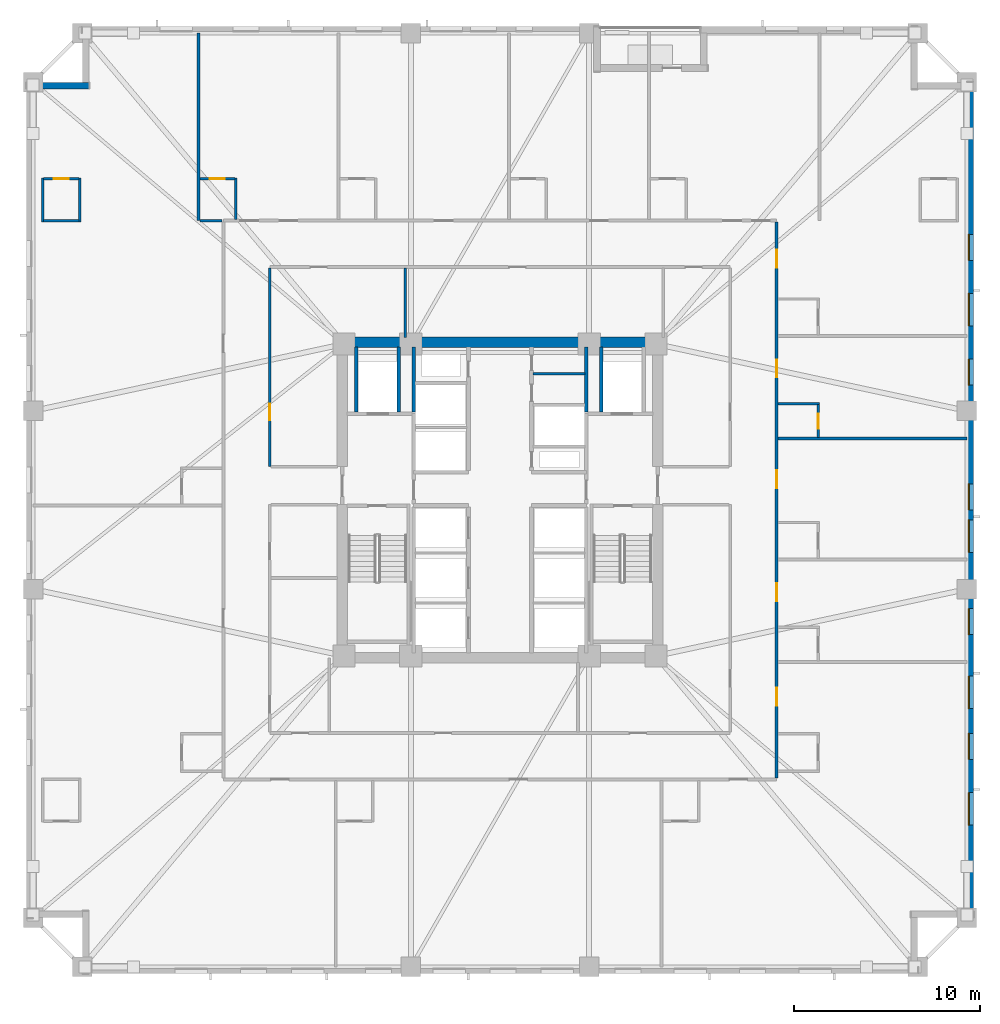
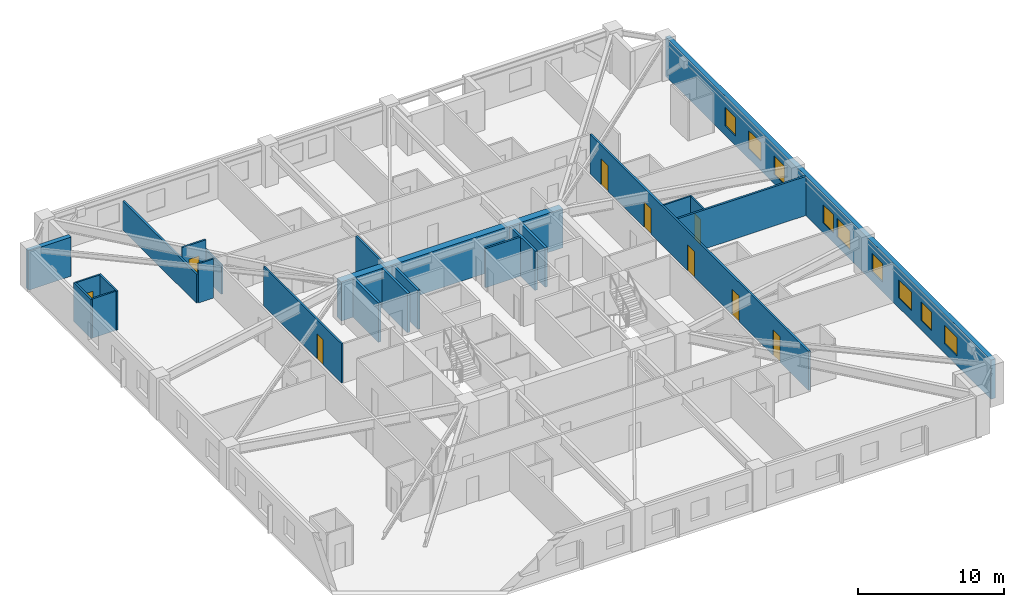
# One storey, part 5 of 11: 23 walls, 9 doors, 9 windows, 18 openings.
"""IFC4 building model written with IfcOpenShell, lengths in metres."""

from ifc_helpers import new_model, si_unit, direction, frame, frame_2d, origin, place, context, subcontext, project, spatial, rectangle, extrude, material, layer, layer_set, type_object, element, fill, save


model = new_model("IFC4")

# Units and contexts
model_context = context("Model", 3, precision=1e-05, world=origin(), true_north=direction((0.0, 1.0)))
body_context = subcontext(model_context, "Body", "Model", "MODEL_VIEW")
ifc_project = project(units=[si_unit("LENGTHUNIT", "METRE"), si_unit("AREAUNIT", "SQUARE_METRE"), si_unit("VOLUMEUNIT", "CUBIC_METRE"), si_unit("PLANEANGLEUNIT", "RADIAN"), si_unit("MASSUNIT", "GRAM", prefix="KILO")], contexts=[model_context])

# Site, building, storey
site_placement = place(None, origin())
site = spatial("IfcSite", under=ifc_project, at=site_placement, CompositionType="ELEMENT")
building_placement = place(site_placement, origin())
building = spatial("IfcBuilding", under=site, at=building_placement, Name="Cairnveth Concourse Tower", CompositionType="ELEMENT")
storey_placement = place(building_placement, frame((0.0, 0.0, 86.5)))
storey = spatial("IfcBuildingStorey", under=building, at=storey_placement, Name="L23", CompositionType="ELEMENT", Elevation=86.5)

# Wall
ifc_material_1 = material(Name="Gypsum Plasterboard Partition", Category="gypsum")
ifc_layer_1 = layer(ifc_material_1, 0.159912109375)
ifc_layer_set_1 = layer_set([ifc_layer_1], Name="Gypsum Plasterboard Partition")
wall_type_1 = type_object("IfcWallType", Name="ACOUSTIC PARTY WALL 180", PredefinedType="PARTITIONING", material=ifc_layer_set_1)
wall_1_placement = place(storey_placement, frame((53.784912109375, 45.800048828125, 0.0), z_axis=(0.0, 0.0, 1.0), x_axis=(1.0, 0.0, 0.0)))
element("IfcWall", 1, at=wall_1_placement, inside=storey, type_object=wall_type_1, Name="Interior Wall IW-L23-037", PredefinedType="PARTITIONING", context=body_context, shape_type="SweptSolid", body=[
    extrude(rectangle(XDim=2.7900390625, YDim=0.159912109375, at=frame_2d((1.39501953125, 0.0))), origin(), (0.0, 0.0, 1.0), 3.280029296875),
])

# Wall, openings, doors
wall_2_placement = place(storey_placement, frame((66.89990234375, 24.014892578125, 0.0), z_axis=(0.0, 0.0, 1.0), x_axis=(0.0, 1.0, 0.0)))
wall_2 = element("IfcWall", 2, at=wall_2_placement, inside=storey, type_object=wall_type_1, Name="Interior Wall IW-L23-041", PredefinedType="PARTITIONING", context=body_context, shape_type="SweptSolid", body=[
    extrude(rectangle(XDim=29.97021484375, YDim=0.159912109375, at=frame_2d((14.985107421875, 0.0))), origin(), (0.0, 0.0, 1.0), 3.280029296875),
])
opening_1_placement = place(wall_2_placement, frame((3.911376953125, 0.0, 0.0)))
opening_1 = element("IfcOpeningElement", 3, at=opening_1_placement, cuts=wall_2, Name="Opening ID09", PredefinedType="OPENING", context=body_context, shape_type="SweptSolid", body=[
    extrude(rectangle(XDim=0.9599609375, YDim=2.14990234375, at=frame_2d((0.47998046875, 1.074951171875))), frame((0.0, 0.08984375, 0.0), z_axis=(0.0, -1.0, 0.0), x_axis=(1.0, 0.0, 0.0)), (0.0, 0.0, 1.0), 0.179931640625),
])
opening_2_placement = place(wall_2_placement, frame((9.544189453125, 0.0, 0.0)))
opening_2 = element("IfcOpeningElement", 4, at=opening_2_placement, cuts=wall_2, Name="Opening ID09", PredefinedType="OPENING", context=body_context, shape_type="SweptSolid", body=[
    extrude(rectangle(XDim=0.9599609375, YDim=2.14990234375, at=frame_2d((0.47998046875, 1.074951171875))), frame((0.0, 0.08984375, 0.0), z_axis=(0.0, -1.0, 0.0), x_axis=(1.0, 0.0, 0.0)), (0.0, 0.0, 1.0), 0.179931640625),
])
opening_3_placement = place(wall_2_placement, frame((15.625, 0.0, 0.0)))
opening_3 = element("IfcOpeningElement", 5, at=opening_3_placement, cuts=wall_2, Name="Opening ID09", PredefinedType="OPENING", context=body_context, shape_type="SweptSolid", body=[
    extrude(rectangle(XDim=0.9599609375, YDim=2.14990234375, at=frame_2d((0.47998046875, 1.074951171875))), frame((0.0, 0.08984375, 0.0), z_axis=(0.0, -1.0, 0.0), x_axis=(1.0, 0.0, 0.0)), (0.0, 0.0, 1.0), 0.179931640625),
])
opening_4_placement = place(wall_2_placement, frame((21.584228515625, 0.0, 0.0)))
opening_4 = element("IfcOpeningElement", 6, at=opening_4_placement, cuts=wall_2, Name="Opening ID09", PredefinedType="OPENING", context=body_context, shape_type="SweptSolid", body=[
    extrude(rectangle(XDim=0.9599609375, YDim=2.14990234375, at=frame_2d((0.47998046875, 1.074951171875))), frame((0.0, 0.08984375, 0.0), z_axis=(0.0, -1.0, 0.0), x_axis=(1.0, 0.0, 0.0)), (0.0, 0.0, 1.0), 0.179931640625),
])
opening_5_placement = place(wall_2_placement, frame((27.49365234375, 0.0, 0.0)))
opening_5 = element("IfcOpeningElement", 7, at=opening_5_placement, cuts=wall_2, Name="Opening ID09", PredefinedType="OPENING", context=body_context, shape_type="SweptSolid", body=[
    extrude(rectangle(XDim=0.9599609375, YDim=2.14990234375, at=frame_2d((0.47998046875, 1.074951171875))), frame((0.0, 0.08984375, 0.0), z_axis=(0.0, -1.0, 0.0), x_axis=(1.0, 0.0, 0.0)), (0.0, 0.0, 1.0), 0.179931640625),
])
ifc_material_2 = material(Name="Solid Core Hardwood Timber Leaf", Category="wood")
door_type_1 = type_object("IfcDoorType", Name="HOTEL ENTRANCE DOOR 960X2150", OperationType="NOTDEFINED", PredefinedType="DOOR", material=ifc_material_2)
door_1_placement = place(opening_1_placement, origin())
door_1 = element("IfcDoor", 8, at=door_1_placement, inside=storey, type_object=door_type_1, Name="Hotel Room Door L23-E1", OperationType="SINGLE_SWING_RIGHT", OverallHeight=2.14990234375, OverallWidth=0.9599609375, PredefinedType="DOOR", context=body_context, shape_type="SweptSolid", body=[
    extrude(rectangle(XDim=0.9599609375, YDim=2.14990234375, at=frame_2d((0.47998046875, 1.074951171875))), frame((0.0, 0.02490234375, 0.0), z_axis=(0.0, -1.0, 0.0), x_axis=(1.0, 0.0, 0.0)), (0.0, 0.0, 1.0), 0.050048828125),
])
fill(opening_1, door_1)
door_2_placement = place(opening_2_placement, origin())
door_2 = element("IfcDoor", 9, at=door_2_placement, inside=storey, type_object=door_type_1, Name="Hotel Room Door L23-E2", OperationType="SINGLE_SWING_RIGHT", OverallHeight=2.14990234375, OverallWidth=0.9599609375, PredefinedType="DOOR", context=body_context, shape_type="SweptSolid", body=[
    extrude(rectangle(XDim=0.9599609375, YDim=2.14990234375, at=frame_2d((0.47998046875, 1.074951171875))), frame((0.0, 0.02490234375, 0.0), z_axis=(0.0, -1.0, 0.0), x_axis=(1.0, 0.0, 0.0)), (0.0, 0.0, 1.0), 0.050048828125),
])
fill(opening_2, door_2)
door_3_placement = place(opening_3_placement, origin())
door_3 = element("IfcDoor", 10, at=door_3_placement, inside=storey, type_object=door_type_1, Name="Hotel Room Door L23-E3", OperationType="SINGLE_SWING_RIGHT", OverallHeight=2.14990234375, OverallWidth=0.9599609375, PredefinedType="DOOR", context=body_context, shape_type="SweptSolid", body=[
    extrude(rectangle(XDim=0.9599609375, YDim=2.14990234375, at=frame_2d((0.47998046875, 1.074951171875))), frame((0.0, 0.02490234375, 0.0), z_axis=(0.0, -1.0, 0.0), x_axis=(1.0, 0.0, 0.0)), (0.0, 0.0, 1.0), 0.050048828125),
])
fill(opening_3, door_3)
door_4_placement = place(opening_4_placement, origin())
door_4 = element("IfcDoor", 11, at=door_4_placement, inside=storey, type_object=door_type_1, Name="Hotel Room Door L23-E4", OperationType="SINGLE_SWING_RIGHT", OverallHeight=2.14990234375, OverallWidth=0.9599609375, PredefinedType="DOOR", context=body_context, shape_type="SweptSolid", body=[
    extrude(rectangle(XDim=0.9599609375, YDim=2.14990234375, at=frame_2d((0.47998046875, 1.074951171875))), frame((0.0, 0.02490234375, 0.0), z_axis=(0.0, -1.0, 0.0), x_axis=(1.0, 0.0, 0.0)), (0.0, 0.0, 1.0), 0.050048828125),
])
fill(opening_4, door_4)
door_5_placement = place(opening_5_placement, origin())
door_5 = element("IfcDoor", 12, at=door_5_placement, inside=storey, type_object=door_type_1, Name="Hotel Room Door L23-E5", OperationType="SINGLE_SWING_RIGHT", OverallHeight=2.14990234375, OverallWidth=0.9599609375, PredefinedType="DOOR", context=body_context, shape_type="SweptSolid", body=[
    extrude(rectangle(XDim=0.9599609375, YDim=2.14990234375, at=frame_2d((0.47998046875, 1.074951171875))), frame((0.0, 0.02490234375, 0.0), z_axis=(0.0, -1.0, 0.0), x_axis=(1.0, 0.0, 0.0)), (0.0, 0.0, 1.0), 0.050048828125),
])
fill(opening_5, door_5)

# Walls
wall_3_placement = place(storey_placement, frame((35.767578125, 54.050048828125, 0.0), z_axis=(0.0, 0.0, 1.0), x_axis=(0.0, 1.0, 0.0)))
element("IfcWall", 13, at=wall_3_placement, inside=storey, type_object=wall_type_1, Name="Interior Wall IW-L23-071", PredefinedType="PARTITIONING", context=body_context, shape_type="SweptSolid", body=[
    extrude(rectangle(XDim=10.10498046875, YDim=0.159912109375, at=frame_2d((5.052490234375, 0.0))), origin(), (0.0, 0.0, 1.0), 2.43896484375),
])
wall_4_placement = place(storey_placement, frame((66.965087890625, 42.302490234375, 0.0), z_axis=(0.0, 0.0, 1.0), x_axis=(1.0, 0.0, 0.0)))
element("IfcWall", 14, at=wall_4_placement, inside=storey, type_object=wall_type_1, Name="Interior Wall IW-L23-104", PredefinedType="PARTITIONING", context=body_context, shape_type="SweptSolid", body=[
    extrude(rectangle(XDim=10.18994140625, YDim=0.159912109375, at=frame_2d((5.094970703125, 0.0))), origin(), (0.0, 0.0, 1.0), 3.280029296875),
])
ifc_material_3 = material(Name="Concrete N80 (80 MPa)", Category="concrete")
ifc_layer_2 = layer(ifc_material_3, 0.550048828125)
ifc_layer_set_2 = layer_set([ifc_layer_2], Name="Concrete N80 (80 MPa)")
wall_type_2 = type_object("IfcWallType", Name="CORE SHEAR WALL 550", PredefinedType="SHEAR", material=ifc_layer_set_2)
wall_5_placement = place(storey_placement, frame((43.22509765625, 47.5, 0.0), z_axis=(0.0, 0.0, 1.0), x_axis=(1.0, 0.0, 0.0)))
element("IfcWall", 15, at=wall_5_placement, inside=storey, type_object=wall_type_2, Name="Core North Shear Wall L23", PredefinedType="SHEAR", context=body_context, shape_type="SweptSolid", body=[
    extrude(rectangle(XDim=17.5498046875, YDim=0.550048828125, at=frame_2d((8.77490234375, 0.0))), origin(), (0.0, 0.0, 1.0), 3.280029296875),
])
ifc_material_4 = material(Name="Concrete N50 (50 MPa)", Category="concrete")
ifc_layer_3 = layer(ifc_material_4, 0.179931640625)
ifc_layer_set_3 = layer_set([ifc_layer_3], Name="Concrete N50 (50 MPa)")
wall_type_3 = type_object("IfcWallType", Name="FIRE SHAFT WALL 180", PredefinedType="SOLIDWALL", material=ifc_layer_set_3)
for number, where, z_axis, x_axis, name in (
    (16, (47.35009765625, 43.735107421875, 0.0), (0.0, 0.0, 1.0), (0.0, 1.0, 0.0), "Interior Wall IW-L23-031"),
    (17, (56.64990234375, 43.735107421875, 0.0), (0.0, 0.0, 1.0), (0.0, 1.0, 0.0), "Interior Wall IW-L23-034"),
):
    element("IfcWall", number, at=place(storey_placement, frame(where, z_axis=z_axis, x_axis=x_axis)), inside=storey, type_object=wall_type_3, Name=name, PredefinedType="SOLIDWALL", context=body_context, shape_type="SweptSolid", body=[
        extrude(rectangle(XDim=3.5048828125, YDim=0.179931640625, at=frame_2d((1.75244140625, 0.0))), origin(), (0.0, 0.0, 1.0), 3.280029296875),
    ])
ifc_layer_4 = layer(ifc_material_4, 0.199951171875)
ifc_layer_set_4 = layer_set([ifc_layer_4], Name="Concrete N50 (50 MPa)")
wall_type_4 = type_object("IfcWallType", Name="FIRE SHAFT WALL 200", PredefinedType="SOLIDWALL", material=ifc_layer_set_4)
for number, where, z_axis, x_axis, name in (
    (18, (46.550048828125, 43.735107421875, 0.0), (0.0, 0.0, 1.0), (0.0, 1.0, 0.0), "Interior Wall IW-L23-018"),
    (19, (44.25, 43.735107421875, 0.0), (0.0, 0.0, 1.0), (0.0, 1.0, 0.0), "Interior Wall IW-L23-019"),
    (20, (57.449951171875, 43.735107421875, 0.0), (0.0, 0.0, 1.0), (0.0, 1.0, 0.0), "Interior Wall IW-L23-023"),
):
    element("IfcWall", number, at=place(storey_placement, frame(where, z_axis=z_axis, x_axis=x_axis)), inside=storey, type_object=wall_type_4, Name=name, PredefinedType="SOLIDWALL", context=body_context, shape_type="SweptSolid", body=[
        extrude(rectangle(XDim=3.5048828125, YDim=0.199951171875, at=frame_2d((1.75244140625, 0.0))), origin(), (0.0, 0.0, 1.0), 3.280029296875),
    ])

# Wall, opening, door
ifc_layer_5 = layer(ifc_material_1, 0.139892578125)
ifc_layer_set_5 = layer_set([ifc_layer_5], Name="Gypsum Plasterboard Partition")
wall_type_5 = type_object("IfcWallType", Name="GYPSUM STUD PARTITION 140", PredefinedType="PARTITIONING", material=ifc_layer_set_5)
wall_6_placement = place(storey_placement, frame((39.60009765625, 40.800048828125, 0.0), z_axis=(0.0, 0.0, 1.0), x_axis=(0.0, 1.0, 0.0)))
wall_6 = element("IfcWall", 21, at=wall_6_placement, inside=storey, type_object=wall_type_5, Name="Interior Wall IW-L23-045", PredefinedType="PARTITIONING", context=body_context, shape_type="SweptSolid", body=[
    extrude(rectangle(XDim=10.695068359375, YDim=0.139892578125, at=frame_2d((5.34765625, 0.0))), origin(), (0.0, 0.0, 1.0), 3.280029296875),
])
opening_6_placement = place(wall_6_placement, frame((2.5, 0.0, 0.0)))
opening_6 = element("IfcOpeningElement", 22, at=opening_6_placement, cuts=wall_6, Name="Opening ID18", PredefinedType="OPENING", context=body_context, shape_type="SweptSolid", body=[
    extrude(rectangle(XDim=0.8798828125, YDim=2.10009765625, at=frame_2d((0.43994140625, 1.050048828125))), frame((0.0, 0.079833984375, 0.0), z_axis=(0.0, -1.0, 0.0), x_axis=(1.0, 0.0, 0.0)), (0.0, 0.0, 1.0), 0.159912109375),
])
door_type_2 = type_object("IfcDoorType", Name="INTERIOR SINGLE DOOR 880X2100", OperationType="NOTDEFINED", PredefinedType="DOOR", material=ifc_material_2)
door_6_placement = place(opening_6_placement, origin())
door_6 = element("IfcDoor", 23, at=door_6_placement, inside=storey, type_object=door_type_2, Name="Interior Door DR-L23-022", OperationType="SINGLE_SWING_RIGHT", OverallHeight=2.10009765625, OverallWidth=0.8798828125, PredefinedType="DOOR", context=body_context, shape_type="SweptSolid", body=[
    extrude(rectangle(XDim=0.8798828125, YDim=2.10009765625, at=frame_2d((0.43994140625, 1.050048828125))), frame((0.0, 0.02490234375, 0.0), z_axis=(0.0, -1.0, 0.0), x_axis=(1.0, 0.0, 0.0)), (0.0, 0.0, 1.0), 0.050048828125),
])
fill(opening_6, door_6)

# Walls
wall_7_placement = place(storey_placement, frame((46.89990234375, 47.760009765625, 0.0), z_axis=(0.0, 0.0, 1.0), x_axis=(0.0, 1.0, 0.0)))
element("IfcWall", 24, at=wall_7_placement, inside=storey, type_object=wall_type_5, Name="Interior Wall IW-L23-054", PredefinedType="PARTITIONING", context=body_context, shape_type="SweptSolid", body=[
    extrude(rectangle(XDim=3.735107421875, YDim=0.139892578125, at=frame_2d((1.86767578125, 0.0))), origin(), (0.0, 0.0, 1.0), 3.280029296875),
])
ifc_layer_6 = layer(ifc_material_1, 0.1298828125)
ifc_layer_set_6 = layer_set([ifc_layer_6], Name="Gypsum Plasterboard Partition")
wall_type_6 = type_object("IfcWallType", Name="WET AREA PARTITION 140", PredefinedType="PLUMBINGWALL", material=ifc_layer_set_6)
for number, where, z_axis, x_axis, name in (
    (25, (27.3701171875, 53.969970703125, 0.0), (0.0, 0.0, 1.0), (0.0, 1.0, 0.0), "Interior Wall IW-L23-067"),
    (26, (29.3701171875, 53.969970703125, 0.0), (0.0, 0.0, 1.0), (0.0, 1.0, 0.0), "Interior Wall IW-L23-068"),
):
    element("IfcWall", number, at=place(storey_placement, frame(where, z_axis=z_axis, x_axis=x_axis)), inside=storey, type_object=wall_type_6, Name=name, PredefinedType="PLUMBINGWALL", context=body_context, shape_type="SweptSolid", body=[
        extrude(rectangle(XDim=2.380126953125, YDim=0.1298828125, at=frame_2d((1.18994140625, 0.0))), origin(), (0.0, 0.0, 1.0), 3.280029296875),
    ])

# Wall, opening, door
wall_8_placement = place(storey_placement, frame((27.419921875, 56.300048828125, 0.0), z_axis=(0.0, 0.0, 1.0), x_axis=(1.0, 0.0, 0.0)))
wall_8 = element("IfcWall", 27, at=wall_8_placement, inside=storey, type_object=wall_type_6, Name="Interior Wall IW-L23-069", PredefinedType="PLUMBINGWALL", context=body_context, shape_type="SweptSolid", body=[
    extrude(rectangle(XDim=1.900146484375, YDim=0.1298828125, at=frame_2d((0.9501953125, 0.0))), origin(), (0.0, 0.0, 1.0), 3.280029296875),
])
opening_7_placement = place(wall_8_placement, frame((0.5400390625, 0.0, 0.0)))
opening_7 = element("IfcOpeningElement", 28, at=opening_7_placement, cuts=wall_8, Name="Opening ID22", PredefinedType="OPENING", context=body_context, shape_type="SweptSolid", body=[
    extrude(rectangle(XDim=0.820068359375, YDim=2.10009765625, at=frame_2d((0.41015625, 1.050048828125))), frame((0.0, 0.074951171875, 0.0), z_axis=(0.0, -1.0, 0.0), x_axis=(1.0, 0.0, 0.0)), (0.0, 0.0, 1.0), 0.14990234375),
])
door_type_3 = type_object("IfcDoorType", Name="INTERIOR WC DOOR 820X2100", OperationType="NOTDEFINED", PredefinedType="DOOR", material=ifc_material_2)
door_7_placement = place(opening_7_placement, origin())
door_7 = element("IfcDoor", 29, at=door_7_placement, inside=storey, type_object=door_type_3, Name="En-Suite Door L23-N1", OperationType="SINGLE_SWING_LEFT", OverallHeight=2.10009765625, OverallWidth=0.820068359375, PredefinedType="DOOR", context=body_context, shape_type="SweptSolid", body=[
    extrude(rectangle(XDim=0.820068359375, YDim=2.10009765625, at=frame_2d((0.41015625, 1.050048828125))), frame((0.0, 0.02490234375, 0.0), z_axis=(0.0, -1.0, 0.0), x_axis=(1.0, 0.0, 0.0)), (0.0, 0.0, 1.0), 0.050048828125),
])
fill(opening_7, door_7)

# Walls
wall_9_placement = place(storey_placement, frame((27.419921875, 54.050048828125, 0.0), z_axis=(0.0, 0.0, 1.0), x_axis=(1.0, 0.0, 0.0)))
element("IfcWall", 30, at=wall_9_placement, inside=storey, type_object=wall_type_6, Name="Interior Wall IW-L23-070", PredefinedType="PLUMBINGWALL", context=body_context, shape_type="SweptSolid", body=[
    extrude(rectangle(XDim=1.900146484375, YDim=0.1298828125, at=frame_2d((0.9501953125, 0.0))), origin(), (0.0, 0.0, 1.0), 3.280029296875),
])
wall_10_placement = place(storey_placement, frame((37.767578125, 54.114990234375, 0.0), z_axis=(0.0, 0.0, 1.0), x_axis=(0.0, 1.0, 0.0)))
element("IfcWall", 31, at=wall_10_placement, inside=storey, type_object=wall_type_6, Name="Interior Wall IW-L23-072", PredefinedType="PLUMBINGWALL", context=body_context, shape_type="SweptSolid", body=[
    extrude(rectangle(XDim=2.235107421875, YDim=0.1298828125, at=frame_2d((1.11767578125, 0.0))), origin(), (0.0, 0.0, 1.0), 2.43896484375),
])

# Wall, opening, door
wall_11_placement = place(storey_placement, frame((35.83251953125, 56.300048828125, 0.0), z_axis=(0.0, 0.0, 1.0), x_axis=(1.0, 0.0, 0.0)))
wall_11 = element("IfcWall", 32, at=wall_11_placement, inside=storey, type_object=wall_type_6, Name="Interior Wall IW-L23-073", PredefinedType="PLUMBINGWALL", context=body_context, shape_type="SweptSolid", body=[
    extrude(rectangle(XDim=1.885009765625, YDim=0.1298828125, at=frame_2d((0.9423828125, 0.0))), origin(), (0.0, 0.0, 1.0), 3.280029296875),
])
opening_8_placement = place(wall_11_placement, frame((0.52490234375, 0.0, 0.0)))
opening_8 = element("IfcOpeningElement", 33, at=opening_8_placement, cuts=wall_11, Name="Opening ID22", PredefinedType="OPENING", context=body_context, shape_type="SweptSolid", body=[
    extrude(rectangle(XDim=0.820068359375, YDim=2.10009765625, at=frame_2d((0.41015625, 1.050048828125))), frame((0.0, 0.074951171875, 0.0), z_axis=(0.0, -1.0, 0.0), x_axis=(1.0, 0.0, 0.0)), (0.0, 0.0, 1.0), 0.14990234375),
])
door_8_placement = place(opening_8_placement, origin())
door_8 = element("IfcDoor", 34, at=door_8_placement, inside=storey, type_object=door_type_3, Name="En-Suite Door L23-N2", OperationType="SINGLE_SWING_LEFT", OverallHeight=2.10009765625, OverallWidth=0.820068359375, PredefinedType="DOOR", context=body_context, shape_type="SweptSolid", body=[
    extrude(rectangle(XDim=0.820068359375, YDim=2.10009765625, at=frame_2d((0.41015625, 1.050048828125))), frame((0.0, 0.02490234375, 0.0), z_axis=(0.0, -1.0, 0.0), x_axis=(1.0, 0.0, 0.0)), (0.0, 0.0, 1.0), 0.050048828125),
])
fill(opening_8, door_8)

# Walls
wall_12_placement = place(storey_placement, frame((35.83251953125, 54.050048828125, 0.0), z_axis=(0.0, 0.0, 1.0), x_axis=(1.0, 0.0, 0.0)))
element("IfcWall", 35, at=wall_12_placement, inside=storey, type_object=wall_type_6, Name="Interior Wall IW-L23-074", PredefinedType="PLUMBINGWALL", context=body_context, shape_type="SweptSolid", body=[
    extrude(rectangle(XDim=1.1875, YDim=0.1298828125, at=frame_2d((0.59375, 0.0))), origin(), (0.0, 0.0, 1.0), 3.280029296875),
])
wall_13_placement = place(storey_placement, frame((66.965087890625, 44.180908203125, 0.0), z_axis=(0.0, 0.0, 1.0), x_axis=(1.0, 0.0, 0.0)))
element("IfcWall", 36, at=wall_13_placement, inside=storey, type_object=wall_type_6, Name="Interior Wall IW-L23-105", PredefinedType="PLUMBINGWALL", context=body_context, shape_type="SweptSolid", body=[
    extrude(rectangle(XDim=2.23486328125, YDim=0.1298828125, at=frame_2d((1.117431640625, 0.0))), origin(), (0.0, 0.0, 1.0), 3.280029296875),
])

# Wall, opening, door
wall_14_placement = place(storey_placement, frame((69.14990234375, 42.367431640625, 0.0), z_axis=(0.0, 0.0, 1.0), x_axis=(0.0, 1.0, 0.0)))
wall_14 = element("IfcWall", 37, at=wall_14_placement, inside=storey, type_object=wall_type_6, Name="Interior Wall IW-L23-106", PredefinedType="PLUMBINGWALL", context=body_context, shape_type="SweptSolid", body=[
    extrude(rectangle(XDim=1.763671875, YDim=0.1298828125, at=frame_2d((0.8818359375, 0.0))), origin(), (0.0, 0.0, 1.0), 3.280029296875),
])
opening_9_placement = place(wall_14_placement, frame((0.464111328125, 0.0, 0.0)))
opening_9 = element("IfcOpeningElement", 38, at=opening_9_placement, cuts=wall_14, Name="Opening ID22", PredefinedType="OPENING", context=body_context, shape_type="SweptSolid", body=[
    extrude(rectangle(XDim=0.820068359375, YDim=2.10009765625, at=frame_2d((0.41015625, 1.050048828125))), frame((0.0, 0.074951171875, 0.0), z_axis=(0.0, -1.0, 0.0), x_axis=(1.0, 0.0, 0.0)), (0.0, 0.0, 1.0), 0.14990234375),
])
door_9_placement = place(opening_9_placement, origin())
door_9 = element("IfcDoor", 39, at=door_9_placement, inside=storey, type_object=door_type_3, Name="En-Suite Door L23-E4", OperationType="SINGLE_SWING_LEFT", OverallHeight=2.10009765625, OverallWidth=0.820068359375, PredefinedType="DOOR", context=body_context, shape_type="SweptSolid", body=[
    extrude(rectangle(XDim=0.820068359375, YDim=2.10009765625, at=frame_2d((0.41015625, 1.050048828125))), frame((0.0, 0.02490234375, 0.0), z_axis=(0.0, -1.0, 0.0), x_axis=(1.0, 0.0, 0.0)), (0.0, 0.0, 1.0), 0.050048828125),
])
fill(opening_9, door_9)

# Wall, openings, windows
ifc_material_5 = material(Name="Hawthorn Red-Ochre Fired Clay Brick Masonry", Category="masonry")
ifc_layer_7 = layer(ifc_material_5, 0.360107421875)
ifc_layer_set_7 = layer_set([ifc_layer_7], Name="Hawthorn Red-Ochre Fired Clay Brick Masonry")
wall_type_7 = type_object("IfcWallType", Name="ZONE 1 BRICK PIER SPANDREL WALL 360", PredefinedType="SOLIDWALL", material=ifc_layer_set_7)
wall_15_placement = place(storey_placement, frame((77.320068359375, 61.5, 0.0), z_axis=(0.0, 0.0, 1.0), x_axis=(0.0, -1.0, 0.0)))
wall_15 = element("IfcWall", 40, at=wall_15_placement, inside=storey, type_object=wall_type_7, Name="Exterior Wall EW-L23-S03", PredefinedType="SOLIDWALL", context=body_context, shape_type="SweptSolid", body=[
    extrude(rectangle(XDim=44.662109375, YDim=0.360107421875, at=frame_2d((22.3310546875, 0.0))), origin(), (0.0, 0.0, 1.0), 3.280029296875),
])
opening_10_placement = place(wall_15_placement, frame((8.190185546875, 0.0, 0.800048828125)))
opening_10 = element("IfcOpeningElement", 41, at=opening_10_placement, cuts=wall_15, Name="Opening W05", PredefinedType="OPENING", context=body_context, shape_type="SweptSolid", body=[
    extrude(rectangle(XDim=1.39990234375, YDim=1.5439453125, at=frame_2d((0.699951171875, 0.77197265625))), frame((0.0, 0.18994140625, 0.0), z_axis=(0.0, -1.0, 0.0), x_axis=(1.0, 0.0, 0.0)), (0.0, 0.0, 1.0), 0.380126953125),
])
opening_11_placement = place(wall_15_placement, frame((11.37548828125, 0.0, 0.800048828125)))
opening_11 = element("IfcOpeningElement", 42, at=opening_11_placement, cuts=wall_15, Name="Opening W06", PredefinedType="OPENING", context=body_context, shape_type="SweptSolid", body=[
    extrude(rectangle(XDim=1.75, YDim=1.5439453125, at=frame_2d((0.875, 0.77197265625))), frame((0.0, 0.18994140625, 0.0), z_axis=(0.0, -1.0, 0.0), x_axis=(1.0, 0.0, 0.0)), (0.0, 0.0, 1.0), 0.380126953125),
])
opening_12_placement = place(wall_15_placement, frame((14.91064453125, 0.0, 0.800048828125)))
opening_12 = element("IfcOpeningElement", 43, at=opening_12_placement, cuts=wall_15, Name="Opening W05", PredefinedType="OPENING", context=body_context, shape_type="SweptSolid", body=[
    extrude(rectangle(XDim=1.39990234375, YDim=1.5439453125, at=frame_2d((0.699951171875, 0.77197265625))), frame((0.0, 0.18994140625, 0.0), z_axis=(0.0, -1.0, 0.0), x_axis=(1.0, 0.0, 0.0)), (0.0, 0.0, 1.0), 0.380126953125),
])
opening_13_placement = place(wall_15_placement, frame((21.631103515625, 0.0, 0.800048828125)))
opening_13 = element("IfcOpeningElement", 44, at=opening_13_placement, cuts=wall_15, Name="Opening W05", PredefinedType="OPENING", context=body_context, shape_type="SweptSolid", body=[
    extrude(rectangle(XDim=1.39990234375, YDim=1.5439453125, at=frame_2d((0.699951171875, 0.77197265625))), frame((0.0, 0.18994140625, 0.0), z_axis=(0.0, -1.0, 0.0), x_axis=(1.0, 0.0, 0.0)), (0.0, 0.0, 1.0), 0.380126953125),
])
opening_14_placement = place(wall_15_placement, frame((23.566162109375, 0.0, 0.800048828125)))
opening_14 = element("IfcOpeningElement", 45, at=opening_14_placement, cuts=wall_15, Name="Opening W06", PredefinedType="OPENING", context=body_context, shape_type="SweptSolid", body=[
    extrude(rectangle(XDim=1.75, YDim=1.5439453125, at=frame_2d((0.875, 0.77197265625))), frame((0.0, 0.18994140625, 0.0), z_axis=(0.0, -1.0, 0.0), x_axis=(1.0, 0.0, 0.0)), (0.0, 0.0, 1.0), 0.380126953125),
])
opening_15_placement = place(wall_15_placement, frame((28.351318359375, 0.0, 0.800048828125)))
opening_15 = element("IfcOpeningElement", 46, at=opening_15_placement, cuts=wall_15, Name="Opening W05", PredefinedType="OPENING", context=body_context, shape_type="SweptSolid", body=[
    extrude(rectangle(XDim=1.39990234375, YDim=1.5439453125, at=frame_2d((0.699951171875, 0.77197265625))), frame((0.0, 0.18994140625, 0.0), z_axis=(0.0, -1.0, 0.0), x_axis=(1.0, 0.0, 0.0)), (0.0, 0.0, 1.0), 0.380126953125),
])
opening_16_placement = place(wall_15_placement, frame((31.986572265625, 0.0, 0.800048828125)))
opening_16 = element("IfcOpeningElement", 47, at=opening_16_placement, cuts=wall_15, Name="Opening W06", PredefinedType="OPENING", context=body_context, shape_type="SweptSolid", body=[
    extrude(rectangle(XDim=1.75, YDim=1.5439453125, at=frame_2d((0.875, 0.77197265625))), frame((0.0, 0.18994140625, 0.0), z_axis=(0.0, -1.0, 0.0), x_axis=(1.0, 0.0, 0.0)), (0.0, 0.0, 1.0), 0.380126953125),
])
opening_17_placement = place(wall_15_placement, frame((35.07177734375, 0.0, 0.800048828125)))
opening_17 = element("IfcOpeningElement", 48, at=opening_17_placement, cuts=wall_15, Name="Opening W05", PredefinedType="OPENING", context=body_context, shape_type="SweptSolid", body=[
    extrude(rectangle(XDim=1.39990234375, YDim=1.5439453125, at=frame_2d((0.699951171875, 0.77197265625))), frame((0.0, 0.18994140625, 0.0), z_axis=(0.0, -1.0, 0.0), x_axis=(1.0, 0.0, 0.0)), (0.0, 0.0, 1.0), 0.380126953125),
])
opening_18_placement = place(wall_15_placement, frame((38.2568359375, 0.0, 0.800048828125)))
opening_18 = element("IfcOpeningElement", 49, at=opening_18_placement, cuts=wall_15, Name="Opening W06", PredefinedType="OPENING", context=body_context, shape_type="SweptSolid", body=[
    extrude(rectangle(XDim=1.75, YDim=1.5439453125, at=frame_2d((0.875, 0.77197265625))), frame((0.0, 0.18994140625, 0.0), z_axis=(0.0, -1.0, 0.0), x_axis=(1.0, 0.0, 0.0)), (0.0, 0.0, 1.0), 0.380126953125),
])
ifc_material_6 = material(Name="Double Glazed Low-E Clear Glass", Category="glass")
window_type_1 = type_object("IfcWindowType", Name="DEEP-SET HOTEL CASEMENT WINDOW 1400X1750", PartitioningType="DOUBLE_PANEL_VERTICAL", PredefinedType="WINDOW", material=ifc_material_6)
window_1_placement = place(opening_10_placement, origin())
window_1 = element("IfcWindow", 50, at=window_1_placement, inside=storey, type_object=window_type_1, Name="Gothic Lancet Window L23-3-2", OverallHeight=1.5439453125, OverallWidth=1.39990234375, PartitioningType="SINGLE_PANEL", PredefinedType="WINDOW", context=body_context, shape_type="SweptSolid", body=[
    extrude(rectangle(XDim=1.39990234375, YDim=1.5439453125, at=frame_2d((0.699951171875, 0.77197265625))), frame((0.0, -0.050048828125, 0.0), z_axis=(0.0, -1.0, 0.0), x_axis=(1.0, 0.0, 0.0)), (0.0, 0.0, 1.0), 0.06005859375),
])
fill(opening_10, window_1)
window_2_placement = place(opening_12_placement, origin())
window_2 = element("IfcWindow", 51, at=window_2_placement, inside=storey, type_object=window_type_1, Name="Gothic Lancet Window L23-3-4", OverallHeight=1.5439453125, OverallWidth=1.39990234375, PartitioningType="SINGLE_PANEL", PredefinedType="WINDOW", context=body_context, shape_type="SweptSolid", body=[
    extrude(rectangle(XDim=1.39990234375, YDim=1.5439453125, at=frame_2d((0.699951171875, 0.77197265625))), frame((0.0, -0.050048828125, 0.0), z_axis=(0.0, -1.0, 0.0), x_axis=(1.0, 0.0, 0.0)), (0.0, 0.0, 1.0), 0.06005859375),
])
fill(opening_12, window_2)
window_3_placement = place(opening_13_placement, origin())
window_3 = element("IfcWindow", 52, at=window_3_placement, inside=storey, type_object=window_type_1, Name="Gothic Lancet Window L23-3-6", OverallHeight=1.5439453125, OverallWidth=1.39990234375, PartitioningType="SINGLE_PANEL", PredefinedType="WINDOW", context=body_context, shape_type="SweptSolid", body=[
    extrude(rectangle(XDim=1.39990234375, YDim=1.5439453125, at=frame_2d((0.699951171875, 0.77197265625))), frame((0.0, -0.050048828125, 0.0), z_axis=(0.0, -1.0, 0.0), x_axis=(1.0, 0.0, 0.0)), (0.0, 0.0, 1.0), 0.06005859375),
])
fill(opening_13, window_3)
window_4_placement = place(opening_15_placement, origin())
window_4 = element("IfcWindow", 53, at=window_4_placement, inside=storey, type_object=window_type_1, Name="Gothic Lancet Window L23-3-8", OverallHeight=1.5439453125, OverallWidth=1.39990234375, PartitioningType="SINGLE_PANEL", PredefinedType="WINDOW", context=body_context, shape_type="SweptSolid", body=[
    extrude(rectangle(XDim=1.39990234375, YDim=1.5439453125, at=frame_2d((0.699951171875, 0.77197265625))), frame((0.0, -0.050048828125, 0.0), z_axis=(0.0, -1.0, 0.0), x_axis=(1.0, 0.0, 0.0)), (0.0, 0.0, 1.0), 0.06005859375),
])
fill(opening_15, window_4)
window_5_placement = place(opening_17_placement, origin())
window_5 = element("IfcWindow", 54, at=window_5_placement, inside=storey, type_object=window_type_1, Name="Gothic Lancet Window L23-3-10", OverallHeight=1.5439453125, OverallWidth=1.39990234375, PartitioningType="SINGLE_PANEL", PredefinedType="WINDOW", context=body_context, shape_type="SweptSolid", body=[
    extrude(rectangle(XDim=1.39990234375, YDim=1.5439453125, at=frame_2d((0.699951171875, 0.77197265625))), frame((0.0, -0.050048828125, 0.0), z_axis=(0.0, -1.0, 0.0), x_axis=(1.0, 0.0, 0.0)), (0.0, 0.0, 1.0), 0.06005859375),
])
fill(opening_17, window_5)
window_type_2 = type_object("IfcWindowType", Name="DEEP-SET HOTEL SUITE WINDOW 1750X1800", PartitioningType="DOUBLE_PANEL_VERTICAL", PredefinedType="WINDOW", material=ifc_material_6)
window_6_placement = place(opening_11_placement, origin())
window_6 = element("IfcWindow", 55, at=window_6_placement, inside=storey, type_object=window_type_2, Name="Gothic Lancet Window L23-3-3", OverallHeight=1.5439453125, OverallWidth=1.75, PartitioningType="SINGLE_PANEL", PredefinedType="WINDOW", context=body_context, shape_type="SweptSolid", body=[
    extrude(rectangle(XDim=1.75, YDim=1.5439453125, at=frame_2d((0.875, 0.77197265625))), frame((0.0, -0.050048828125, 0.0), z_axis=(0.0, -1.0, 0.0), x_axis=(1.0, 0.0, 0.0)), (0.0, 0.0, 1.0), 0.06005859375),
])
fill(opening_11, window_6)
window_7_placement = place(opening_14_placement, origin())
window_7 = element("IfcWindow", 56, at=window_7_placement, inside=storey, type_object=window_type_2, Name="Gothic Lancet Window L23-3-7", OverallHeight=1.5439453125, OverallWidth=1.75, PartitioningType="SINGLE_PANEL", PredefinedType="WINDOW", context=body_context, shape_type="SweptSolid", body=[
    extrude(rectangle(XDim=1.75, YDim=1.5439453125, at=frame_2d((0.875, 0.77197265625))), frame((0.0, -0.050048828125, 0.0), z_axis=(0.0, -1.0, 0.0), x_axis=(1.0, 0.0, 0.0)), (0.0, 0.0, 1.0), 0.06005859375),
])
fill(opening_14, window_7)
window_8_placement = place(opening_16_placement, origin())
window_8 = element("IfcWindow", 57, at=window_8_placement, inside=storey, type_object=window_type_2, Name="Gothic Lancet Window L23-3-9", OverallHeight=1.5439453125, OverallWidth=1.75, PartitioningType="SINGLE_PANEL", PredefinedType="WINDOW", context=body_context, shape_type="SweptSolid", body=[
    extrude(rectangle(XDim=1.75, YDim=1.5439453125, at=frame_2d((0.875, 0.77197265625))), frame((0.0, -0.050048828125, 0.0), z_axis=(0.0, -1.0, 0.0), x_axis=(1.0, 0.0, 0.0)), (0.0, 0.0, 1.0), 0.06005859375),
])
fill(opening_16, window_8)
window_9_placement = place(opening_18_placement, origin())
window_9 = element("IfcWindow", 58, at=window_9_placement, inside=storey, type_object=window_type_2, Name="Gothic Lancet Window L23-3-11", OverallHeight=1.5439453125, OverallWidth=1.75, PartitioningType="SINGLE_PANEL", PredefinedType="WINDOW", context=body_context, shape_type="SweptSolid", body=[
    extrude(rectangle(XDim=1.75, YDim=1.5439453125, at=frame_2d((0.875, 0.77197265625))), frame((0.0, -0.050048828125, 0.0), z_axis=(0.0, -1.0, 0.0), x_axis=(1.0, 0.0, 0.0)), (0.0, 0.0, 1.0), 0.06005859375),
])
fill(opening_18, window_9)

# Wall
wall_16_placement = place(storey_placement, frame((26.5, 61.320068359375, 0.0), z_axis=(0.0, 0.0, 1.0), x_axis=(1.0, 0.0, 0.0)))
element("IfcWall", 59, at=wall_16_placement, inside=storey, type_object=wall_type_7, Name="Exterior Wall EW-L23-S10", PredefinedType="SOLIDWALL", context=body_context, shape_type="SweptSolid", body=[
    extrude(rectangle(XDim=3.360107421875, YDim=0.360107421875, at=frame_2d((1.68017578125, 0.0))), origin(), (0.0, 0.0, 1.0), 3.280029296875),
])

save(model, "model.ifc")
